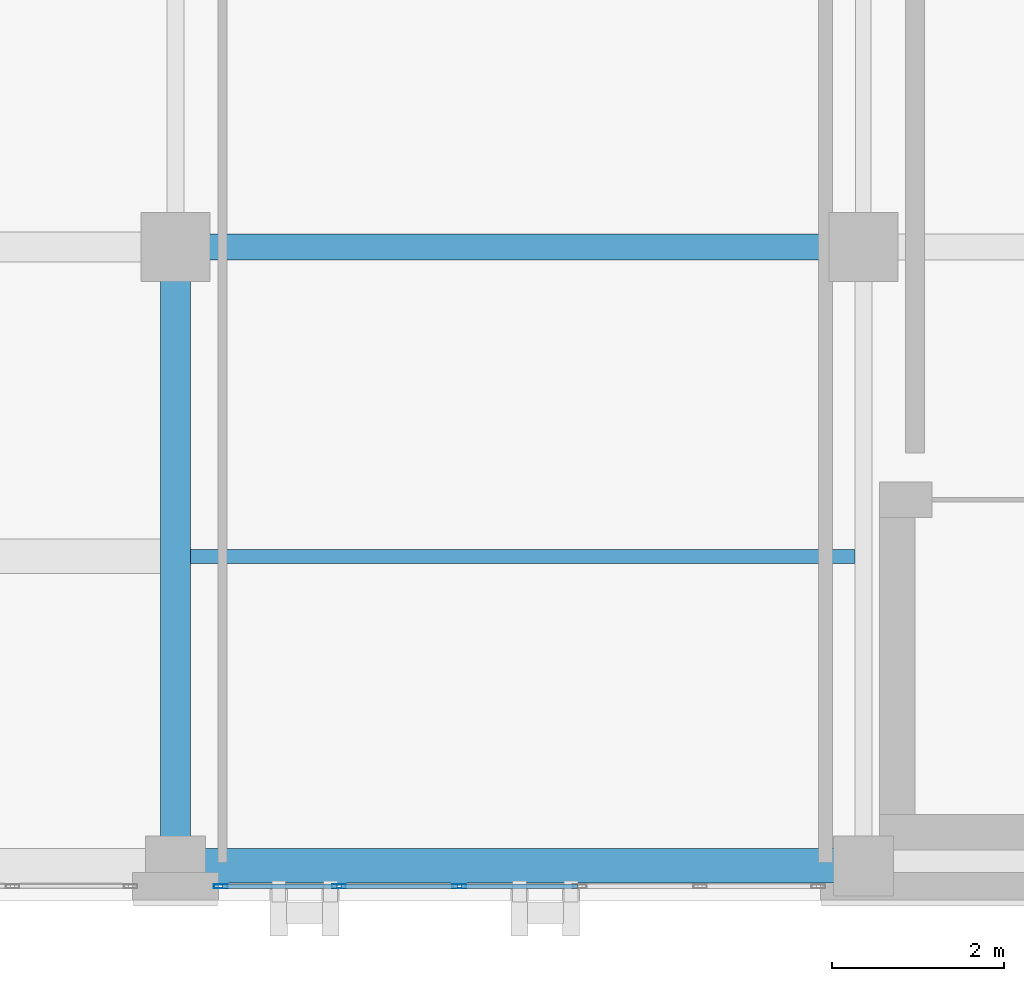
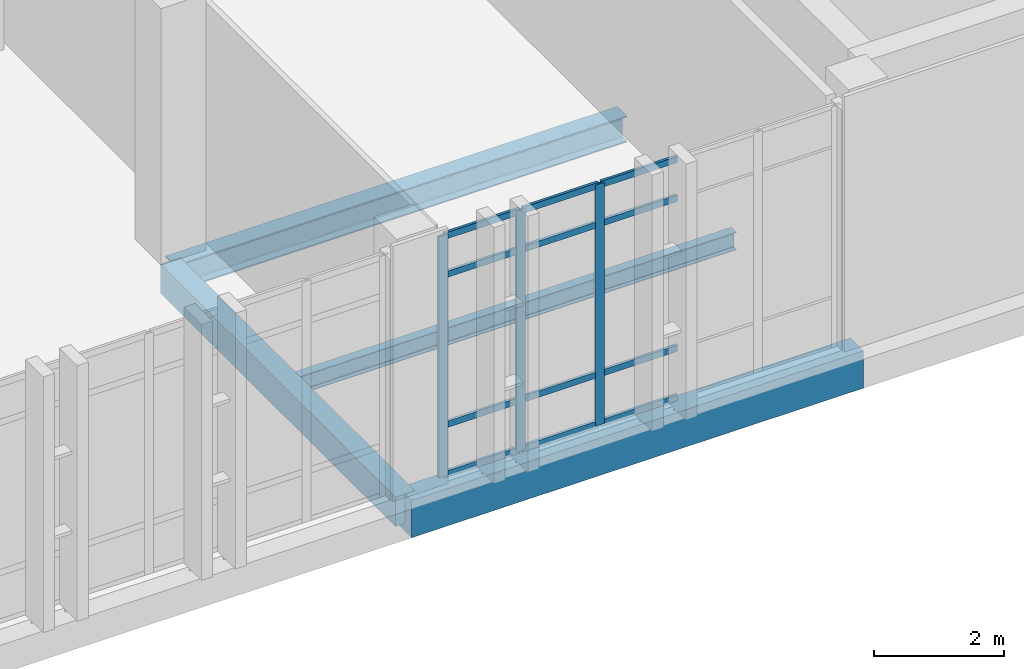
# One storey, part 44 of 189: 15 members, 4 beams, 1 element without a shape of its own.
"""IFC4 building model written with IfcOpenShell, lengths in metres."""

from ifc_helpers import new_model, si_unit, direction, frame, origin, origin_2d, place, context, subcontext, project, spatial, rectangle, hollow_rectangle, i_section, extrude, material, layer, layer_set, material_profile, profile_set, type_object, element, aggregate, save


model = new_model("IFC4")

# Units and contexts
model_context = context("Model", 3, precision=1e-05, world=origin(), true_north=direction((0.0, 1.0)))
body_context = subcontext(model_context, "Body", "Model", "MODEL_VIEW")
ifc_project = project(units=[si_unit("LENGTHUNIT", "METRE"), si_unit("AREAUNIT", "SQUARE_METRE"), si_unit("VOLUMEUNIT", "CUBIC_METRE"), si_unit("PLANEANGLEUNIT", "RADIAN"), si_unit("MASSUNIT", "GRAM", prefix="KILO")], contexts=[model_context])

# Site, building, storey
site_placement = place(None, origin())
site = spatial("IfcSite", under=ifc_project, at=site_placement, CompositionType="ELEMENT")
building_placement = place(site_placement, origin())
building = spatial("IfcBuilding", under=site, at=building_placement, Name="Qalavern Law Courts", CompositionType="ELEMENT")
storey_placement = place(building_placement, frame((0.0, 0.0, 5.39990234375)))
storey = spatial("IfcBuildingStorey", under=building, at=storey_placement, Name="L01", CompositionType="ELEMENT", Elevation=5.39990234375)

# Curtain wall, members
ifc_material_1 = material(Name="Anodised aluminium and insulated glazing", Category="aluminium")
ifc_layer = layer(ifc_material_1, 0.172119140625)
ifc_layer_set = layer_set([ifc_layer], Name="Anodised aluminium and insulated glazing")
curtain_wall_type = type_object("IfcCurtainWallType", Name="ENV-CW-COURT", PredefinedType="USERDEFINED", material=ifc_layer_set)
curtain_wall_placement = place(storey_placement, origin())
curtain_wall = element("IfcCurtainWall", 1, at=curtain_wall_placement, inside=storey, type_object=curtain_wall_type, Name="V6 unitised curtain wall L01 south 2", ObjectType="UNITISED CURTAIN WALL", PredefinedType="USERDEFINED")
ifc_material_2 = material(Name="Anodised aluminium", Category="aluminium")
ifc_material_profile_1 = material_profile(ifc_material_2, hollow_rectangle(XDim=0.048095703125, YDim=0.159912109375, WallThickness=0.00390625, at=origin_2d()), Name="ALU MULLION 48x160")
ifc_profile_set_1 = profile_set([ifc_material_profile_1], Name="Anodised aluminium")
member_type_1 = type_object("IfcMemberType", Name="ENV-CWM-48x160", PredefinedType="MULLION", material=ifc_profile_set_1)
member_1_placement = place(storey_placement, frame((110.323974609375, 1.16259765625, 0.0), z_axis=(0.0, 0.0, 1.0), x_axis=(0.0, 1.0, 0.0)))
member_1 = element("IfcMember", 2, at=member_1_placement, type_object=member_type_1, Name="CW-03 mullion 1", PredefinedType="MULLION", context=body_context, shape_type="SweptSolid", body=[
    extrude(hollow_rectangle(XDim=0.048095703125, YDim=0.159912109375, WallThickness=0.00390625, at=origin_2d()), origin(), (0.0, 0.0, 1.0), 4.510009765625),
])
member_2_placement = place(storey_placement, frame((111.699951171875, 1.16259765625, 0.0), z_axis=(0.0, 0.0, 1.0), x_axis=(0.0, 1.0, 0.0)))
member_2 = element("IfcMember", 3, at=member_2_placement, type_object=member_type_1, Name="CW-03 mullion 2", PredefinedType="MULLION", context=body_context, shape_type="SweptSolid", body=[
    extrude(hollow_rectangle(XDim=0.048095703125, YDim=0.159912109375, WallThickness=0.00390625, at=origin_2d()), origin(), (0.0, 0.0, 1.0), 4.510009765625),
])
member_3_placement = place(storey_placement, frame((113.10009765625, 1.16259765625, 0.0), z_axis=(0.0, 0.0, 1.0), x_axis=(0.0, 1.0, 0.0)))
member_3 = element("IfcMember", 4, at=member_3_placement, type_object=member_type_1, Name="CW-03 mullion 3", PredefinedType="MULLION", context=body_context, shape_type="SweptSolid", body=[
    extrude(hollow_rectangle(XDim=0.048095703125, YDim=0.159912109375, WallThickness=0.00390625, at=origin_2d()), origin(), (0.0, 0.0, 1.0), 4.510009765625),
])
ifc_material_profile_2 = material_profile(ifc_material_2, hollow_rectangle(XDim=0.048095703125, YDim=0.1201171875, WallThickness=0.00390625, at=origin_2d()), Name="ALU TRANSOM 48x120")
ifc_profile_set_2 = profile_set([ifc_material_profile_2], Name="Anodised aluminium")
member_type_2 = type_object("IfcMemberType", Name="ENV-CWT-48x120", PredefinedType="USERDEFINED", material=ifc_profile_set_2)
member_4_placement = place(storey_placement, frame((110.347900390625, 1.16259765625, 0.024169921875), z_axis=(1.0, 0.0, 0.0), x_axis=(0.0, 1.0, 0.0)))
member_4 = element("IfcMember", 5, at=member_4_placement, type_object=member_type_2, Name="CW-03 transom 1.1", ObjectType="TRANSOM", PredefinedType="USERDEFINED", context=body_context, shape_type="SweptSolid", body=[
    extrude(hollow_rectangle(XDim=0.048095703125, YDim=0.1201171875, WallThickness=0.00390625, at=origin_2d()), origin(), (0.0, 0.0, 1.0), 1.328125),
])
member_5_placement = place(storey_placement, frame((110.347900390625, 1.16259765625, 0.9501953125), z_axis=(1.0, 0.0, 0.0), x_axis=(0.0, 1.0, 0.0)))
member_5 = element("IfcMember", 6, at=member_5_placement, type_object=member_type_2, Name="CW-03 transom 1.2", ObjectType="TRANSOM", PredefinedType="USERDEFINED", context=body_context, shape_type="SweptSolid", body=[
    extrude(hollow_rectangle(XDim=0.048095703125, YDim=0.1201171875, WallThickness=0.00390625, at=origin_2d()), origin(), (0.0, 0.0, 1.0), 1.328125),
])
member_6_placement = place(storey_placement, frame((110.347900390625, 1.16259765625, 3.760009765625), z_axis=(1.0, 0.0, 0.0), x_axis=(0.0, 1.0, 0.0)))
member_6 = element("IfcMember", 7, at=member_6_placement, type_object=member_type_2, Name="CW-03 transom 1.3", ObjectType="TRANSOM", PredefinedType="USERDEFINED", context=body_context, shape_type="SweptSolid", body=[
    extrude(hollow_rectangle(XDim=0.048095703125, YDim=0.1201171875, WallThickness=0.00390625, at=origin_2d()), origin(), (0.0, 0.0, 1.0), 1.328125),
])
member_7_placement = place(storey_placement, frame((110.347900390625, 1.16259765625, 4.486083984375), z_axis=(1.0, 0.0, 0.0), x_axis=(0.0, 1.0, 0.0)))
member_7 = element("IfcMember", 8, at=member_7_placement, type_object=member_type_2, Name="CW-03 transom 1.4", ObjectType="TRANSOM", PredefinedType="USERDEFINED", context=body_context, shape_type="SweptSolid", body=[
    extrude(hollow_rectangle(XDim=0.048095703125, YDim=0.1201171875, WallThickness=0.00390625, at=origin_2d()), origin(), (0.0, 0.0, 1.0), 1.328125),
])
member_8_placement = place(storey_placement, frame((111.72412109375, 1.16259765625, 0.024169921875), z_axis=(1.0, 0.0, 0.0), x_axis=(0.0, 1.0, 0.0)))
member_8 = element("IfcMember", 9, at=member_8_placement, type_object=member_type_2, Name="CW-03 transom 2.1", ObjectType="TRANSOM", PredefinedType="USERDEFINED", context=body_context, shape_type="SweptSolid", body=[
    extrude(hollow_rectangle(XDim=0.048095703125, YDim=0.1201171875, WallThickness=0.00390625, at=origin_2d()), origin(), (0.0, 0.0, 1.0), 1.351806640625),
])
member_9_placement = place(storey_placement, frame((111.72412109375, 1.16259765625, 0.9501953125), z_axis=(1.0, 0.0, 0.0), x_axis=(0.0, 1.0, 0.0)))
member_9 = element("IfcMember", 10, at=member_9_placement, type_object=member_type_2, Name="CW-03 transom 2.2", ObjectType="TRANSOM", PredefinedType="USERDEFINED", context=body_context, shape_type="SweptSolid", body=[
    extrude(hollow_rectangle(XDim=0.048095703125, YDim=0.1201171875, WallThickness=0.00390625, at=origin_2d()), origin(), (0.0, 0.0, 1.0), 1.351806640625),
])
member_10_placement = place(storey_placement, frame((111.72412109375, 1.16259765625, 3.760009765625), z_axis=(1.0, 0.0, 0.0), x_axis=(0.0, 1.0, 0.0)))
member_10 = element("IfcMember", 11, at=member_10_placement, type_object=member_type_2, Name="CW-03 transom 2.3", ObjectType="TRANSOM", PredefinedType="USERDEFINED", context=body_context, shape_type="SweptSolid", body=[
    extrude(hollow_rectangle(XDim=0.048095703125, YDim=0.1201171875, WallThickness=0.00390625, at=origin_2d()), origin(), (0.0, 0.0, 1.0), 1.351806640625),
])
member_11_placement = place(storey_placement, frame((111.72412109375, 1.16259765625, 4.486083984375), z_axis=(1.0, 0.0, 0.0), x_axis=(0.0, 1.0, 0.0)))
member_11 = element("IfcMember", 12, at=member_11_placement, type_object=member_type_2, Name="CW-03 transom 2.4", ObjectType="TRANSOM", PredefinedType="USERDEFINED", context=body_context, shape_type="SweptSolid", body=[
    extrude(hollow_rectangle(XDim=0.048095703125, YDim=0.1201171875, WallThickness=0.00390625, at=origin_2d()), origin(), (0.0, 0.0, 1.0), 1.351806640625),
])
member_12_placement = place(storey_placement, frame((113.1240234375, 1.16259765625, 0.024169921875), z_axis=(1.0, 0.0, 0.0), x_axis=(0.0, 1.0, 0.0)))
member_12 = element("IfcMember", 13, at=member_12_placement, type_object=member_type_2, Name="CW-03 transom 3.1", ObjectType="TRANSOM", PredefinedType="USERDEFINED", context=body_context, shape_type="SweptSolid", body=[
    extrude(hollow_rectangle(XDim=0.048095703125, YDim=0.1201171875, WallThickness=0.00390625, at=origin_2d()), origin(), (0.0, 0.0, 1.0), 1.35205078125),
])
member_13_placement = place(storey_placement, frame((113.1240234375, 1.16259765625, 0.9501953125), z_axis=(1.0, 0.0, 0.0), x_axis=(0.0, 1.0, 0.0)))
member_13 = element("IfcMember", 14, at=member_13_placement, type_object=member_type_2, Name="CW-03 transom 3.2", ObjectType="TRANSOM", PredefinedType="USERDEFINED", context=body_context, shape_type="SweptSolid", body=[
    extrude(hollow_rectangle(XDim=0.048095703125, YDim=0.1201171875, WallThickness=0.00390625, at=origin_2d()), origin(), (0.0, 0.0, 1.0), 1.35205078125),
])
member_14_placement = place(storey_placement, frame((113.1240234375, 1.16259765625, 3.760009765625), z_axis=(1.0, 0.0, 0.0), x_axis=(0.0, 1.0, 0.0)))
member_14 = element("IfcMember", 15, at=member_14_placement, type_object=member_type_2, Name="CW-03 transom 3.3", ObjectType="TRANSOM", PredefinedType="USERDEFINED", context=body_context, shape_type="SweptSolid", body=[
    extrude(hollow_rectangle(XDim=0.048095703125, YDim=0.1201171875, WallThickness=0.00390625, at=origin_2d()), origin(), (0.0, 0.0, 1.0), 1.35205078125),
])
member_15_placement = place(storey_placement, frame((113.1240234375, 1.16259765625, 4.486083984375), z_axis=(1.0, 0.0, 0.0), x_axis=(0.0, 1.0, 0.0)))
member_15 = element("IfcMember", 16, at=member_15_placement, type_object=member_type_2, Name="CW-03 transom 3.4", ObjectType="TRANSOM", PredefinedType="USERDEFINED", context=body_context, shape_type="SweptSolid", body=[
    extrude(hollow_rectangle(XDim=0.048095703125, YDim=0.1201171875, WallThickness=0.00390625, at=origin_2d()), origin(), (0.0, 0.0, 1.0), 1.35205078125),
])
aggregate(curtain_wall, [member_1, member_2, member_3, member_4, member_5, member_6, member_7, member_8, member_9, member_10, member_11, member_12, member_13, member_14, member_15])

# Beams
ifc_material_3 = material(Name="Steel S355", Category="steel")
ifc_material_profile_3 = material_profile(ifc_material_3, i_section(OverallWidth=0.300048828125, OverallDepth=0.489990234375, WebThickness=0.011962890625, FlangeThickness=0.02294921875, FilletRadius=0.027099609375, at=origin_2d()), Name="HEA 500")
ifc_profile_set_3 = profile_set([ifc_material_profile_3], Name="Steel S355")
beam_type_1 = type_object("IfcBeamType", Name="STR-BM-HEA500", PredefinedType="BEAM", material=ifc_profile_set_3)
beam_1_placement = place(storey_placement, frame((109.800048828125, 8.60009765625, -0.544921875), z_axis=(1.0, 0.0, 0.0), x_axis=(0.0, 1.0, 0.0)))
element("IfcBeam", 17, at=beam_1_placement, inside=storey, type_object=beam_type_1, Name="V6 X-beam 2-2 L01", PredefinedType="BEAM", context=body_context, shape_type="SweptSolid", body=[
    extrude(i_section(OverallWidth=0.300048828125, OverallDepth=0.489990234375, WebThickness=0.011962890625, FlangeThickness=0.02294921875, FilletRadius=0.027099609375, at=origin_2d()), origin(), (0.0, 0.0, 1.0), 8.0),
])
ifc_material_4 = material(Name="Concrete C35/45", Category="concrete")
ifc_material_profile_4 = material_profile(ifc_material_4, rectangle(XDim=0.35009765625, YDim=0.550048828125, at=origin_2d()), Name="RC 350x550")
ifc_profile_set_4 = profile_set([ifc_material_profile_4], Name="Concrete C35/45")
beam_type_2 = type_object("IfcBeamType", Name="STR-BM-RC350x550", PredefinedType="BEAM", material=ifc_profile_set_4)
beam_2_placement = place(storey_placement, frame((109.800048828125, 1.39990234375, -0.574951171875), z_axis=(0.0, 1.0, 0.0), x_axis=(-1.0, 0.0, 0.0)))
element("IfcBeam", 18, at=beam_2_placement, inside=storey, type_object=beam_type_2, Name="V6 Y-beam 2-1 L01", PredefinedType="BEAM", context=body_context, shape_type="SweptSolid", body=[
    extrude(rectangle(XDim=0.35009765625, YDim=0.550048828125, at=origin_2d()), origin(), (0.0, 0.0, 1.0), 7.2001953125),
])
ifc_material_profile_5 = material_profile(ifc_material_3, i_section(OverallWidth=0.159912109375, OverallDepth=0.330078125, WebThickness=0.007568359375, FlangeThickness=0.011474609375, FilletRadius=0.01806640625, at=origin_2d()), Name="IPE 330")
ifc_profile_set_5 = profile_set([ifc_material_profile_5], Name="Steel S355")
beam_type_3 = type_object("IfcBeamType", Name="STR-JST-IPE330", PredefinedType="JOIST", material=ifc_profile_set_5)
beam_3_placement = place(storey_placement, frame((109.972900390625, 5.0, -0.46484375), z_axis=(1.0, 0.0, 0.0), x_axis=(0.0, 1.0, 0.0)))
element("IfcBeam", 19, at=beam_3_placement, inside=storey, type_object=beam_type_3, Name="V6 secondary joist 2.1.1 L01", PredefinedType="JOIST", context=body_context, shape_type="SweptSolid", body=[
    extrude(i_section(OverallWidth=0.159912109375, OverallDepth=0.330078125, WebThickness=0.007568359375, FlangeThickness=0.011474609375, FilletRadius=0.01806640625, at=origin_2d()), origin(), (0.0, 0.0, 1.0), 7.72900390625),
])
ifc_material_5 = material(Name="Concrete C40/50", Category="concrete")
ifc_material_profile_6 = material_profile(ifc_material_5, rectangle(XDim=0.39990234375, YDim=0.699951171875, at=origin_2d()), Name="RC 400x700")
ifc_profile_set_6 = profile_set([ifc_material_profile_6], Name="Concrete C40/50")
beam_type_4 = type_object("IfcBeamType", Name="STR-SP-RC400x700", PredefinedType="SPANDREL", material=ifc_profile_set_6)
beam_4_placement = place(storey_placement, frame((109.800048828125, 1.39990234375, -0.64990234375), z_axis=(1.0, 0.0, 0.0), x_axis=(0.0, 1.0, 0.0)))
element("IfcBeam", 20, at=beam_4_placement, inside=storey, type_object=beam_type_4, Name="V6 X-beam 1-2 L01", PredefinedType="SPANDREL", context=body_context, shape_type="SweptSolid", body=[
    extrude(rectangle(XDim=0.39990234375, YDim=0.699951171875, at=origin_2d()), origin(), (0.0, 0.0, 1.0), 8.0),
])

save(model, "model.ifc")
